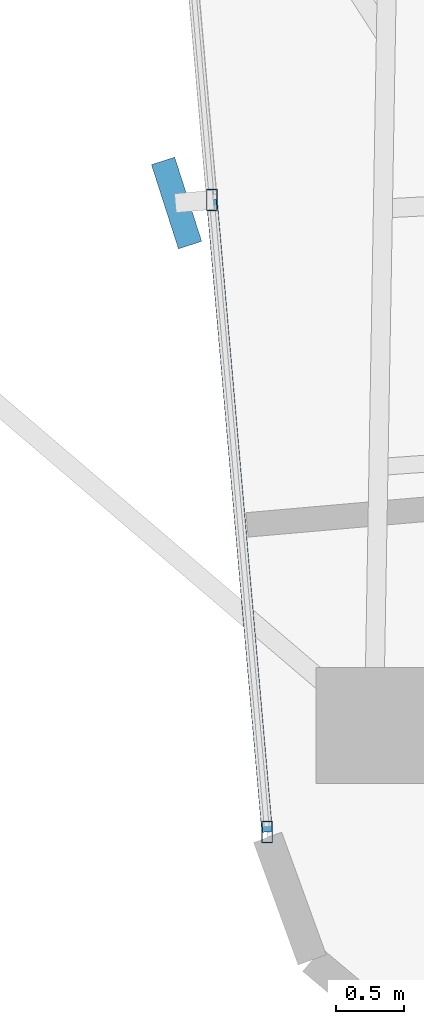
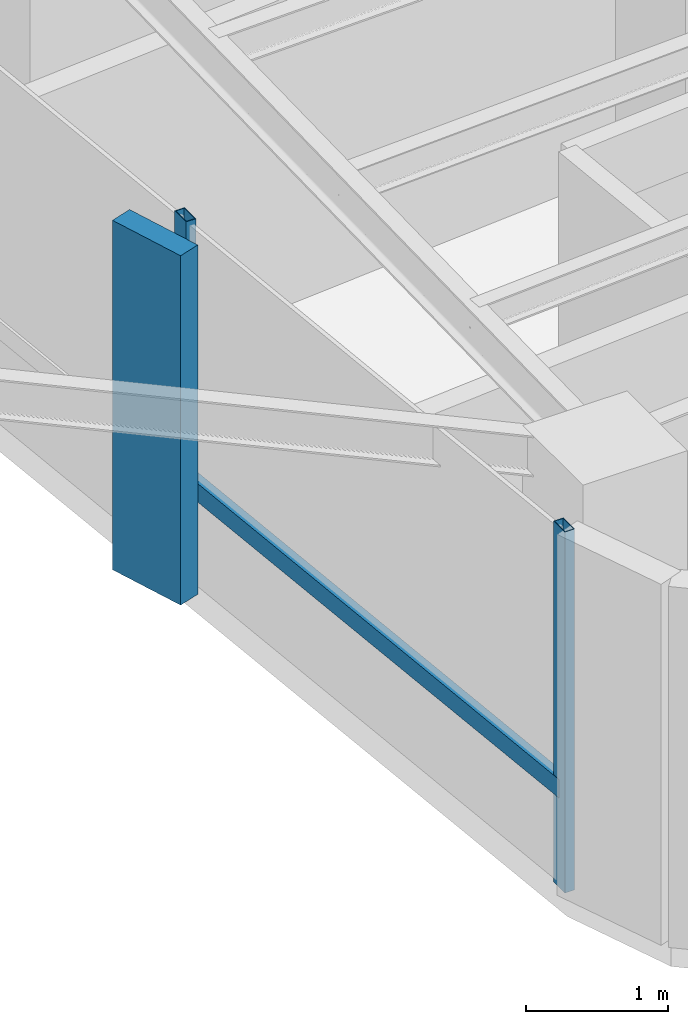
# One storey, part 2 of 24: 4 members, 1 element without a shape of its own.
"""IFC4 building model written with IfcOpenShell, lengths in metres."""

import ifcopenshell
import ifcopenshell.guid

model = None  # the IFC model being written
_history = None  # IfcOwnerHistory: only IFC2X3 demands one
_inside = {}  # id of a spatial element -> (the spatial element, [elements in it])
_under = {}  # id of a project, library or spatial element -> (it, [spatial elements below it])
_declared = {}  # id of a project -> (the project, [libraries it declares])
_typed = {}  # id of a type object -> (the type object, [elements of that type])
_made_of = {}  # id of a material, layer set ... -> (it, [elements and type objects made of it])


def new_model(schema):
    """Start an empty IFC model of exactly this schema.

    Asked for "IFC4X3", IfcOpenShell would pick the latest addendum, in which some entities
    have other attributes; the version numbers below select the first issue.
    IFC2X3 requires an IfcOwnerHistory on every rooted entity: one is made here for all.
    """
    global model, _history
    if schema == "IFC4X3":
        model = ifcopenshell.file(schema_version=(4, 3, 0, 0))
    else:
        model = ifcopenshell.file(schema=schema)
    _inside.clear()
    _under.clear()
    _declared.clear()
    _typed.clear()
    _made_of.clear()
    _history = None
    if model.schema == "IFC2X3":
        org = make("IfcOrganization", Name="unknown")
        user = make(
            "IfcPersonAndOrganization",
            ThePerson=make("IfcPerson", FamilyName="unknown"),
            TheOrganization=org,
        )
        app = make(
            "IfcApplication",
            ApplicationDeveloper=org,
            Version="unknown",
            ApplicationFullName="unknown",
            ApplicationIdentifier="unknown",
        )
        _history = make(
            "IfcOwnerHistory",
            OwningUser=user,
            OwningApplication=app,
            ChangeAction="ADDED",
            CreationDate=0,
        )
    return model


def make(cls, **values):
    """One entity of the class cls with the attributes given. An attribute that is None is left unset."""
    return model.create_entity(
        cls, **{name: value for name, value in values.items() if value is not None}
    )


def rooted(cls, **values):
    """An entity with a GlobalId (a new one), such as an element, a storey or a relation."""
    return make(cls, GlobalId=ifcopenshell.guid.new(), OwnerHistory=_history, **values)


def si_unit(unit_type, name, prefix=None):
    """IfcSIUnit, for example si_unit("LENGTHUNIT", "METRE", prefix="MILLI")."""
    return make("IfcSIUnit", UnitType=unit_type, Prefix=prefix, Name=name)


def assignment(units):
    """IfcUnitAssignment: the units of a project."""
    return None if units is None else make("IfcUnitAssignment", Units=units)


def point(xyz):
    """IfcCartesianPoint."""
    return None if xyz is None else make("IfcCartesianPoint", Coordinates=xyz)


def direction(xyz):
    """IfcDirection."""
    return None if xyz is None else make("IfcDirection", DirectionRatios=xyz)


def frame(location, z_axis=None, x_axis=None):
    """IfcAxis2Placement3D, a coordinate frame: its origin and axes. An axis left out is left unset."""
    return make(
        "IfcAxis2Placement3D",
        Location=point(location),
        Axis=direction(z_axis),
        RefDirection=direction(x_axis),
    )


def frame_2d(location, x_axis=None):
    """IfcAxis2Placement2D, a coordinate frame in the plane: its origin and x axis."""
    return make(
        "IfcAxis2Placement2D", Location=point(location), RefDirection=direction(x_axis)
    )


def origin():
    """The frame at (0, 0, 0) with its axes left unset."""
    return frame((0.0, 0.0, 0.0))


def origin_2d():
    """The frame at (0, 0) in the plane with its x axis left unset."""
    return frame_2d((0.0, 0.0))


def place(relative_to, where):
    """IfcLocalPlacement: puts the frame where relative to a parent placement (None: the world)."""
    return make(
        "IfcLocalPlacement", PlacementRelTo=relative_to, RelativePlacement=where
    )


def context(
    kind, dimensions, precision=None, world=None, true_north=None, identifier=None
):
    """IfcGeometricRepresentationContext, for example the 3D "Model" context."""
    return make(
        "IfcGeometricRepresentationContext",
        ContextIdentifier=identifier,
        ContextType=kind,
        CoordinateSpaceDimension=dimensions,
        Precision=precision,
        WorldCoordinateSystem=world,
        TrueNorth=true_north,
    )


def subcontext(parent, identifier, kind, view, scale=None):
    """IfcGeometricRepresentationSubContext, for example "Body" below "Model"."""
    return make(
        "IfcGeometricRepresentationSubContext",
        ContextIdentifier=identifier,
        ContextType=kind,
        ParentContext=parent,
        TargetScale=scale,
        TargetView=view,
    )


def project(units=None, contexts=None):
    """IfcProject with its units and contexts."""
    return rooted(
        "IfcProject",
        Name="project",
        RepresentationContexts=contexts,
        UnitsInContext=assignment(units),
    )


def spatial(cls, under=None, at=None, **own):
    """A site, building, storey or space (cls), placed at a placement, below another one or the project."""
    s = rooted(cls, ObjectPlacement=at, **own)
    if under is not None:
        _under.setdefault(under.id(), (under, []))[1].append(s)
    return s


def profile(cls, at=None, kind="AREA", **sizes):
    """A parametric profile (cls). Its sizes go by their IFC names, for example OverallWidth=200.0."""
    return make(cls, ProfileType=kind, Position=at, **sizes)


def rectangle(**sizes):
    """IfcRectangleProfileDef."""
    return profile("IfcRectangleProfileDef", **sizes)


def hollow_rectangle(**sizes):
    """IfcRectangleHollowProfileDef."""
    return profile("IfcRectangleHollowProfileDef", **sizes)


def extrude(swept, where, along, depth):
    """IfcExtrudedAreaSolid: the profile swept, set in the frame where, extruded along a direction by depth."""
    return make(
        "IfcExtrudedAreaSolid",
        SweptArea=swept,
        Position=where,
        ExtrudedDirection=direction(along),
        Depth=depth,
    )


def shape(context_of_items, identifier, shape_type, items):
    """IfcShapeRepresentation: the items that make up one representation, for example the "Body"."""
    return make(
        "IfcShapeRepresentation",
        ContextOfItems=context_of_items,
        RepresentationIdentifier=identifier,
        RepresentationType=shape_type,
        Items=items,
    )


def source(mapping_origin, context_of_items, identifier, shape_type, items):
    """IfcRepresentationMap: a shape defined once, which mapped items show again and again."""
    return make(
        "IfcRepresentationMap",
        MappingOrigin=mapping_origin,
        MappedRepresentation=shape(context_of_items, identifier, shape_type, items),
    )


def transform(
    local_origin,
    x_axis=None,
    y_axis=None,
    z_axis=None,
    scale=None,
    scale2=None,
    scale3=None,
    uniform=True,
):
    """IfcCartesianTransformationOperator3D, or its non-uniform kind. x_axis, y_axis, z_axis: its Axis1, 2, 3."""
    if uniform:
        return make(
            "IfcCartesianTransformationOperator3D",
            Axis1=direction(x_axis),
            Axis2=direction(y_axis),
            LocalOrigin=point(local_origin),
            Scale=scale,
            Axis3=direction(z_axis),
        )
    return make(
        "IfcCartesianTransformationOperator3DnonUniform",
        Axis1=direction(x_axis),
        Axis2=direction(y_axis),
        LocalOrigin=point(local_origin),
        Scale=scale,
        Axis3=direction(z_axis),
        Scale2=scale2,
        Scale3=scale3,
    )


def mapped(mapping_source, mapping_target):
    """IfcMappedItem: shows the shape of a source again, moved by a transform."""
    return make(
        "IfcMappedItem", MappingSource=mapping_source, MappingTarget=mapping_target
    )


def material(Name=None, Category=None):
    """IfcMaterial."""
    return make("IfcMaterial", Name=Name, Category=Category)


def material_profile(
    of_material, cross_section, Name=None, Category=None, Priority=None
):
    """IfcMaterialProfile: a cross section and its material."""
    return make(
        "IfcMaterialProfile",
        Name=Name,
        Material=of_material,
        Profile=cross_section,
        Priority=Priority,
        Category=Category,
    )


def profile_set(profiles, Name=None, composite=None):
    """IfcMaterialProfileSet."""
    return make(
        "IfcMaterialProfileSet",
        Name=Name,
        MaterialProfiles=profiles,
        CompositeProfile=composite,
    )


def made_of(thing, what):
    """Note that an element or type object is made of a material, layer set ...; save() writes the relation."""
    if what is not None:
        _made_of.setdefault(what.id(), (what, []))[1].append(thing)
    return thing


def type_object(cls, material=None, **own):
    """A type object (cls), such as IfcWallType, which elements share."""
    return made_of(rooted(cls, **own), material)


def element(
    cls,
    number,
    at=None,
    inside=None,
    cuts=None,
    type_object=None,
    material=None,
    context=None,
    identifier="Body",
    shape_type=None,
    held_by="IfcProductDefinitionShape",
    body=None,
    shapes=None,
    **own,
):
    """One element of the class cls, such as IfcWall. Its Tag is "e" and its number.

    at: its placement. inside: the storey or other place that contains it. cuts: it is an
    opening in that element (IfcRelVoidsElement). A single representation is given by context,
    identifier, shape_type and body (its items); several are given by shapes. held_by: the class
    of the entity that holds the representations. save() writes the other relations.
    """
    e = rooted(cls, Tag="e%d" % number, ObjectPlacement=at, **own)
    if body is not None:
        shapes = [shape(context, identifier, shape_type, body)]
    if shapes is not None:
        e.Representation = make(held_by, Representations=shapes)
    if inside is not None:
        _inside.setdefault(inside.id(), (inside, []))[1].append(e)
    if cuts is not None:
        rooted(
            "IfcRelVoidsElement", RelatingBuildingElement=cuts, RelatedOpeningElement=e
        )
    if type_object is not None:
        _typed.setdefault(type_object.id(), (type_object, []))[1].append(e)
    return made_of(e, material)


def aggregate(whole, parts):
    """IfcRelAggregates: a whole, such as a stair, and the parts it consists of."""
    return rooted("IfcRelAggregates", RelatingObject=whole, RelatedObjects=parts)


def save(model, path):
    """Write the relations noted so far, then the file.

    IfcRelAggregates (storeys below a building ...), IfcRelContainedInSpatialStructure (elements
    in a storey), IfcRelDefinesByType, IfcRelAssociatesMaterial and IfcRelDeclares: one each for
    every whole, place, type object, material and project.
    """
    for whole, parts in _under.values():
        aggregate(whole, parts)
    for where, things in _inside.values():
        rooted(
            "IfcRelContainedInSpatialStructure",
            RelatedElements=things,
            RelatingStructure=where,
        )
    for kind, things in _typed.values():
        rooted("IfcRelDefinesByType", RelatedObjects=things, RelatingType=kind)
    for what, things in _made_of.values():
        rooted("IfcRelAssociatesMaterial", RelatedObjects=things, RelatingMaterial=what)
    for by, libraries in _declared.values():
        rooted("IfcRelDeclares", RelatingContext=by, RelatedDefinitions=libraries)
    model.write(path)


model = new_model("IFC4")

# Units and contexts
model_context = context("Model", 3, precision=1e-05, world=origin(), true_north=direction((0.0, 1.0)))
body_context = subcontext(model_context, "Body", "Model", "MODEL_VIEW")
ifc_project = project(units=[si_unit("LENGTHUNIT", "METRE"), si_unit("AREAUNIT", "SQUARE_METRE"), si_unit("VOLUMEUNIT", "CUBIC_METRE"), si_unit("PLANEANGLEUNIT", "RADIAN"), si_unit("MASSUNIT", "GRAM", prefix="KILO")], contexts=[model_context])

# Site, building, storey
site_placement = place(None, origin())
site = spatial("IfcSite", under=ifc_project, at=site_placement, CompositionType="ELEMENT")
building_placement = place(site_placement, origin())
building = spatial("IfcBuilding", under=site, at=building_placement, Name="Sahyath Konkavel Grand Hotel", CompositionType="ELEMENT")
storey_placement = place(building_placement, frame((0.0, 0.0, 164.0)))
storey = spatial("IfcBuildingStorey", under=building, at=storey_placement, Name="L45", CompositionType="ELEMENT", Elevation=164.0)

# Curtain wall, members
ifc_material_1 = material(Name="Anodised Bronze Aluminium & Low-E Glazing", Category="aluminium")
curtain_wall_type = type_object("IfcCurtainWallType", Name="CW-ZONE3", PredefinedType="NOTDEFINED", material=ifc_material_1)
curtain_wall_placement = place(storey_placement, origin())
curtain_wall = element("IfcCurtainWall", 1, at=curtain_wall_placement, inside=storey, type_object=curtain_wall_type, Name="L45 Unitised Curtain Wall F24", PredefinedType="NOTDEFINED")
ifc_material_2 = material(Name="Warm Buff Sandstone Cladding on Concrete C50/60", Category="masonry")
ifc_material_profile_1 = material_profile(ifc_material_2, rectangle(XDim=0.179931640625, YDim=0.64990234375, at=origin_2d()), Name="FIN 180x650")
ifc_profile_set_1 = profile_set([ifc_material_profile_1], Name="Warm Buff Sandstone Cladding on Concrete C50/60")
member_type_1 = type_object("IfcMemberType", Name="FIN-SANDSTONE-650", PredefinedType="MULLION", material=ifc_profile_set_1)
shared_shape_1 = source(origin(), body_context, "Body", "SweptSolid", [
    extrude(rectangle(XDim=0.179931640625, YDim=0.64990234375, at=origin_2d()), origin(), (0.0, 0.0, 1.0), 3.010009765625),
])
member_1_placement = place(storey_placement, frame((-5.386474609375, -14.273681640625, 0.050048828125), z_axis=(0.0, 0.0, 1.0), x_axis=(0.952236042525, 0.30536293049, 0.0)))
member_1 = element("IfcMember", 2, at=member_1_placement, type_object=member_type_1, Name="L45 Sandstone Vertical Solar Fin FIN F24-1", PredefinedType="MULLION", context=body_context, shape_type="MappedRepresentation", body=[
    mapped(shared_shape_1, transform((0.0, 0.0, 0.0), scale=1.0)),
])
ifc_material_3 = material(Name="Anodised Bronze Aluminium", Category="aluminium")
ifc_material_profile_2 = material_profile(ifc_material_3, hollow_rectangle(XDim=0.080078125, YDim=0.159912109375, WallThickness=0.006103515625, at=origin_2d()), Name="RHS 160x80x6")
ifc_profile_set_2 = profile_set([ifc_material_profile_2], Name="Anodised Bronze Aluminium")
member_type_2 = type_object("IfcMemberType", Name="CW-MUL-160", PredefinedType="MULLION", material=ifc_profile_set_2)
shared_shape_2 = source(origin(), body_context, "Body", "SweptSolid", [
    extrude(hollow_rectangle(XDim=0.080078125, YDim=0.159912109375, WallThickness=0.006103515625, at=origin_2d()), origin(), (0.0, 0.0, 1.0), 3.110107421875),
])
member_2_placement = place(storey_placement, frame((-5.12744140625, -14.251220703125, 0.0), z_axis=(0.0, 0.0, 1.0), x_axis=(1.0, 0.0, 0.0)))
member_2 = element("IfcMember", 3, at=member_2_placement, type_object=member_type_2, Name="L45 Curtain Wall Mullion F24-1", PredefinedType="MULLION", context=body_context, shape_type="MappedRepresentation", body=[
    mapped(shared_shape_2, transform((0.0, 0.0, 0.0), scale=1.0)),
])
member_3_placement = place(storey_placement, frame((-4.72119140625, -18.893310546875, 0.0), z_axis=(0.0, 0.0, 1.0), x_axis=(1.0, 0.0, 0.0)))
member_3 = element("IfcMember", 4, at=member_3_placement, type_object=member_type_2, Name="L45 Curtain Wall Mullion F24-2", PredefinedType="MULLION", context=body_context, shape_type="MappedRepresentation", body=[
    mapped(shared_shape_2, transform((0.0, 0.0, 0.0), scale=1.0)),
])
ifc_material_profile_3 = material_profile(ifc_material_3, hollow_rectangle(XDim=0.080078125, YDim=0.159912109375, WallThickness=0.006103515625, at=origin_2d()), Name="RHS 160x80x6")
ifc_profile_set_3 = profile_set([ifc_material_profile_3], Name="Anodised Bronze Aluminium")
member_type_3 = type_object("IfcMemberType", Name="CW-TRN-160", PredefinedType="USERDEFINED", material=ifc_profile_set_3)
shared_shape_3 = source(origin(), body_context, "Body", "SweptSolid", [
    extrude(hollow_rectangle(XDim=0.080078125, YDim=0.159912109375, WallThickness=0.006103515625, at=origin_2d()), origin(), (0.0, 0.0, 1.0), 4.659912109375),
])
member_4_placement = place(storey_placement, frame((-5.12744140625, -14.251220703125, 0.85009765625), z_axis=(0.087181248758, -0.996192466276, 0.0), x_axis=(0.996192466276, 0.087181248758, 0.0)))
member_4 = element("IfcMember", 5, at=member_4_placement, type_object=member_type_3, Name="L45 Curtain Wall Transom F24-1-spandrel", ObjectType="TRANSOM", PredefinedType="USERDEFINED", context=body_context, shape_type="MappedRepresentation", body=[
    mapped(shared_shape_3, transform((0.0, 0.0, 0.0), scale=1.0)),
])
aggregate(curtain_wall, [member_2, member_1, member_3, member_4])

save(model, "model.ifc")
